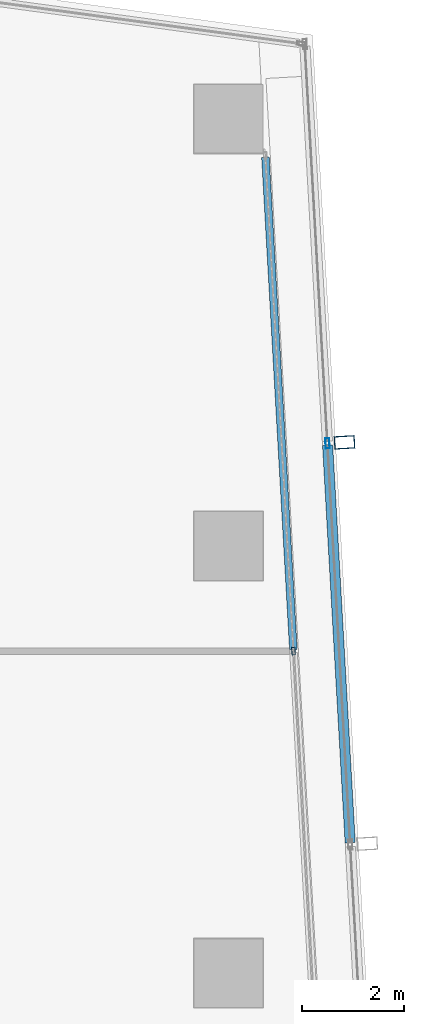
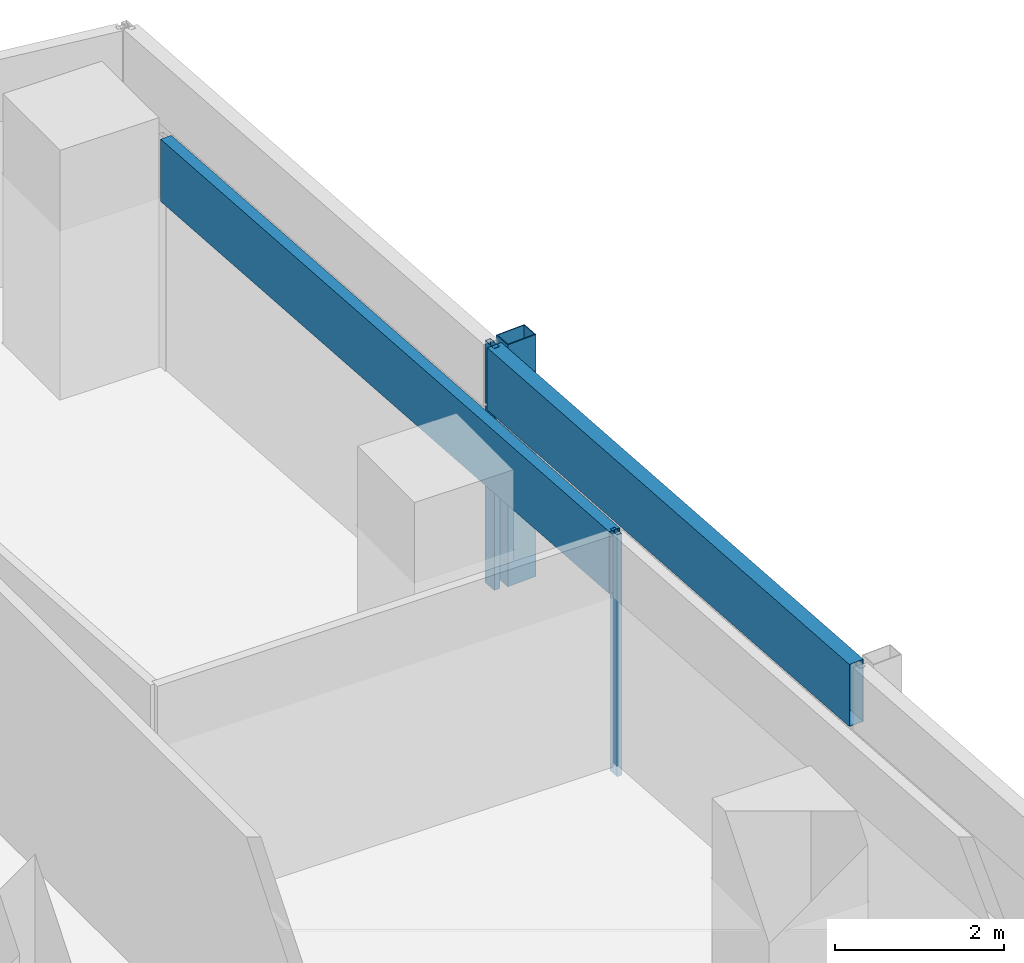
# One storey, part 23 of 39: 5 members, 2 elements without a shape of their own.
"""IFC4 building model written with IfcOpenShell, lengths in metres."""

from ifc_helpers import new_model, si_unit, direction, frame, origin, origin_2d, place, context, subcontext, project, spatial, hollow_rectangle, extrude, material, material_profile, profile_set, type_object, element, aggregate, save


model = new_model("IFC4")

# Units and contexts
model_context = context("Model", 3, precision=1e-05, world=origin(), true_north=direction((0.0, 1.0)))
body_context = subcontext(model_context, "Body", "Model", "MODEL_VIEW")
ifc_project = project(units=[si_unit("LENGTHUNIT", "METRE"), si_unit("AREAUNIT", "SQUARE_METRE"), si_unit("VOLUMEUNIT", "CUBIC_METRE"), si_unit("PLANEANGLEUNIT", "RADIAN"), si_unit("MASSUNIT", "GRAM", prefix="KILO")], contexts=[model_context])

# Site, building, storey
site_placement = place(None, origin())
site = spatial("IfcSite", under=ifc_project, at=site_placement, CompositionType="ELEMENT")
building_placement = place(site_placement, origin())
building = spatial("IfcBuilding", under=site, at=building_placement, Name="Rekha Terrace Tower", CompositionType="ELEMENT")
storey_placement = place(building_placement, frame((0.0, 0.0, 225.199951171875)))
storey = spatial("IfcBuildingStorey", under=building, at=storey_placement, Name="L57", CompositionType="ELEMENT", Elevation=225.199951171875)

# Curtain wall, member
ifc_material_1 = material(Name="Aluminium framing", Category="aluminium")
curtain_wall_type_1 = type_object("IfcCurtainWallType", Name="CW2 double skin outer glazing", PredefinedType="USERDEFINED", material=ifc_material_1)
curtain_wall_1_placement = place(storey_placement, origin())
curtain_wall_1 = element("IfcCurtainWall", 1, at=curtain_wall_1_placement, inside=storey, type_object=curtain_wall_type_1, Name="CW2 double skin outer glazing", ObjectType="DOUBLE SKIN OUTER GLAZING", PredefinedType="USERDEFINED")
ifc_material_2 = material(Name="Steel S355 with fluorocarbon finish", Category="steel")
ifc_material_profile_1 = material_profile(ifc_material_2, hollow_rectangle(XDim=0.25, YDim=0.39990234375, WallThickness=0.012451171875, at=origin_2d()), Name="RHS400x250x12.5")
ifc_profile_set_1 = profile_set([ifc_material_profile_1], Name="Steel S355 with fluorocarbon finish")
member_type_1 = type_object("IfcMemberType", Name="BL1 facade blade RHS 400 x 250", PredefinedType="USERDEFINED", material=ifc_profile_set_1)
member_1_placement = place(storey_placement, frame((61.080078125, 52.4375, 0.0), z_axis=(0.0, 0.0, 1.0), x_axis=(-0.056673619809, 0.998392758797, 0.0)))
member_1 = element("IfcMember", 2, at=member_1_placement, type_object=member_type_1, Name="Facade blade", ObjectType="FACADE BLADE", PredefinedType="USERDEFINED", context=body_context, shape_type="SweptSolid", body=[
    extrude(hollow_rectangle(XDim=0.25, YDim=0.39990234375, WallThickness=0.012451171875, at=origin_2d()), origin(), (0.0, 0.0, 1.0), 3.5),
])

# Curtain wall, members
curtain_wall_type_2 = type_object("IfcCurtainWallType", Name="CW1 double skin inner glazing", PredefinedType="USERDEFINED", material=ifc_material_1)
curtain_wall_2_placement = place(storey_placement, origin())
curtain_wall_2 = element("IfcCurtainWall", 3, at=curtain_wall_2_placement, inside=storey, type_object=curtain_wall_type_2, Name="CW1 double skin inner glazing", ObjectType="DOUBLE SKIN INNER GLAZING", PredefinedType="USERDEFINED")
ifc_material_3 = material(Name="Aluminium mullion section", Category="aluminium")
ifc_material_profile_2 = material_profile(ifc_material_3, hollow_rectangle(XDim=0.06494140625, YDim=0.14990234375, WallThickness=0.00390625, at=origin_2d()), Name="AL RHS 65x150")
ifc_profile_set_2 = profile_set([ifc_material_profile_2], Name="Aluminium mullion section")
member_type_2 = type_object("IfcMemberType", Name="CW1 mullion RHS 65 x 150", PredefinedType="MULLION", material=ifc_profile_set_2)
member_2_placement = place(storey_placement, frame((60.076171875, 48.331787109375, 0.0), z_axis=(0.0, 0.0, 1.0), x_axis=(-0.998392782919, -0.05667319486, 0.0)))
member_2 = element("IfcMember", 4, at=member_2_placement, type_object=member_type_2, Name="CW1 mullion 3", PredefinedType="MULLION", context=body_context, shape_type="SweptSolid", body=[
    extrude(hollow_rectangle(XDim=0.06494140625, YDim=0.14990234375, WallThickness=0.00390625, at=origin_2d()), origin(), (0.0, 0.0, 1.0), 3.5),
])
ifc_material_4 = material(Name="Insulated aluminium spandrel box", Category="aluminium")
ifc_material_profile_3 = material_profile(ifc_material_4, hollow_rectangle(XDim=0.14990234375, YDim=0.89990234375, WallThickness=0.0029296875, at=origin_2d()), Name="AL SPANDREL BOX 150x900")
ifc_profile_set_3 = profile_set([ifc_material_profile_3], Name="Insulated aluminium spandrel box")
member_type_3 = type_object("IfcMemberType", Name="CW1 spandrel transom 150 x 900", PredefinedType="USERDEFINED", material=ifc_profile_set_3)
member_3_placement = place(storey_placement, frame((60.07421875, 48.3642578125, 3.050048828125), z_axis=(-0.056665357377, 0.998393227778, 0.0), x_axis=(-0.998393227778, -0.056665357377, 0.0)))
member_3 = element("IfcMember", 5, at=member_3_placement, type_object=member_type_3, Name="CW1 spandrel transom 3", ObjectType="TRANSOM", PredefinedType="USERDEFINED", context=body_context, shape_type="SweptSolid", body=[
    extrude(hollow_rectangle(XDim=0.14990234375, YDim=0.89990234375, WallThickness=0.0029296875, at=origin_2d()), origin(), (0.0, 0.0, 1.0), 9.694091796875),
])
aggregate(curtain_wall_2, [member_2, member_3])

# Member
ifc_material_profile_4 = material_profile(ifc_material_3, hollow_rectangle(XDim=0.080078125, YDim=0.199951171875, WallThickness=0.00390625, at=origin_2d()), Name="AL RHS 80x200")
ifc_profile_set_4 = profile_set([ifc_material_profile_4], Name="Aluminium mullion section")
member_type_4 = type_object("IfcMemberType", Name="CW2 mullion RHS 80 x 200", PredefinedType="MULLION", material=ifc_profile_set_4)
member_4_placement = place(storey_placement, frame((60.74560546875, 52.41845703125, 0.0), z_axis=(0.0, 0.0, 1.0), x_axis=(-0.998392782919, -0.05667319486, 0.0)))
member_4 = element("IfcMember", 6, at=member_4_placement, type_object=member_type_4, Name="CW2 mullion 4", PredefinedType="MULLION", context=body_context, shape_type="SweptSolid", body=[
    extrude(hollow_rectangle(XDim=0.080078125, YDim=0.199951171875, WallThickness=0.00390625, at=origin_2d()), origin(), (0.0, 0.0, 1.0), 3.5),
])

ifc_material_profile_5 = material_profile(ifc_material_4, hollow_rectangle(XDim=0.199951171875, YDim=0.89990234375, WallThickness=0.0029296875, at=origin_2d()), Name="AL SPANDREL BOX 200x900")
ifc_profile_set_5 = profile_set([ifc_material_profile_5], Name="Insulated aluminium spandrel box")
member_type_5 = type_object("IfcMemberType", Name="CW2 spandrel transom 200 x 900", PredefinedType="USERDEFINED", material=ifc_profile_set_5)
member_5_placement = place(storey_placement, frame((61.19140625, 44.567626953125, 3.050048828125), z_axis=(-0.056702299999, 0.998391130357, 0.0), x_axis=(-0.998391130357, -0.056702299999, 0.0)))
member_5 = element("IfcMember", 7, at=member_5_placement, type_object=member_type_5, Name="CW2 spandrel transom 3", ObjectType="TRANSOM", PredefinedType="USERDEFINED", context=body_context, shape_type="SweptSolid", body=[
    extrude(hollow_rectangle(XDim=0.199951171875, YDim=0.89990234375, WallThickness=0.0029296875, at=origin_2d()), origin(), (0.0, 0.0, 1.0), 7.823486328125),
])

aggregate(curtain_wall_1, [member_4, member_5, member_1])

save(model, "model.ifc")
